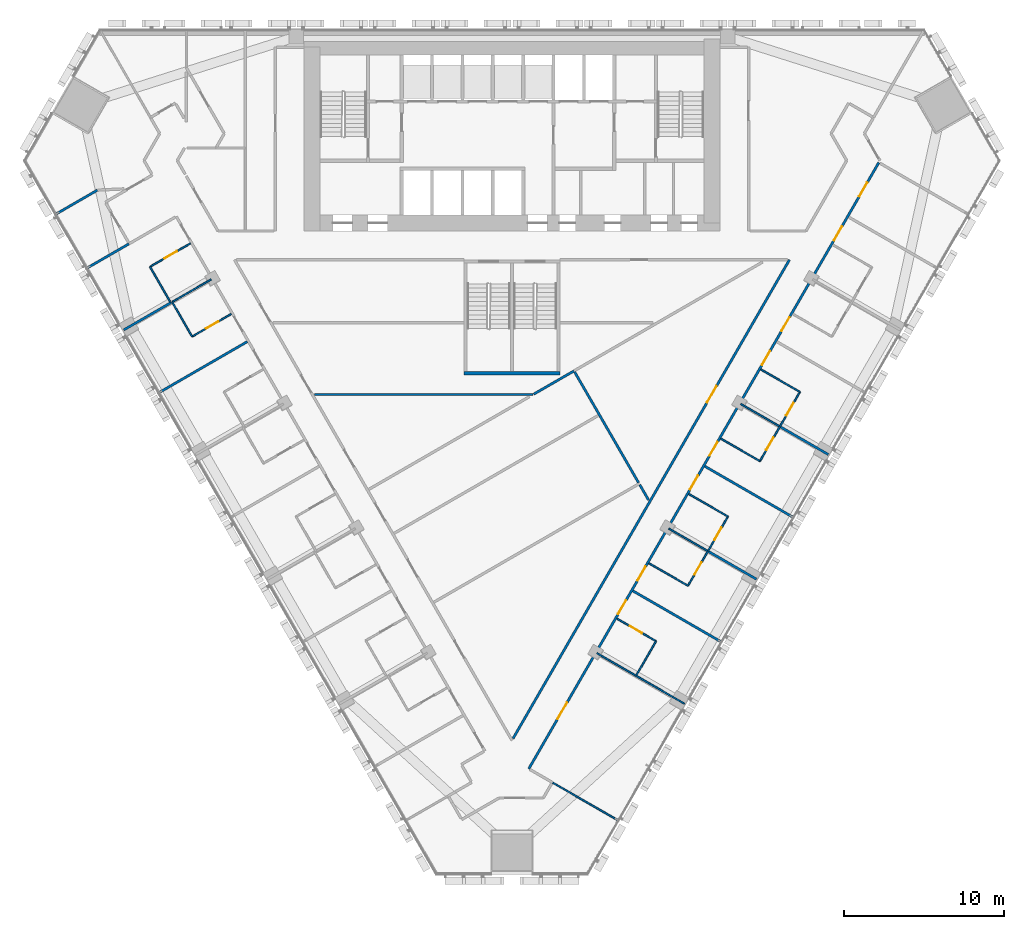
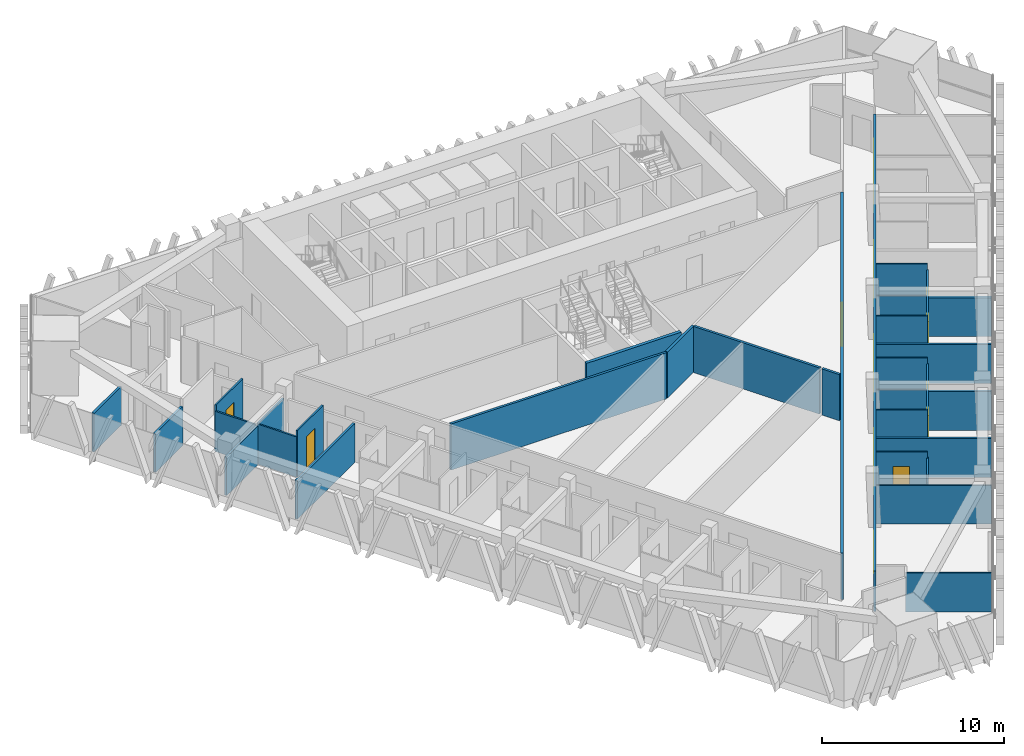
# One storey, part 10 of 17: 32 walls, 17 doors, 17 openings.
"""IFC4 building model written with IfcOpenShell, lengths in metres."""

from ifc_helpers import new_model, si_unit, direction, frame, frame_2d, origin, place, context, subcontext, project, spatial, rectangle, extrude, material, layer, layer_set, type_object, element, fill, save


model = new_model("IFC4")

# Units and contexts
model_context = context("Model", 3, precision=1e-05, world=origin(), true_north=direction((0.0, 1.0)))
body_context = subcontext(model_context, "Body", "Model", "MODEL_VIEW")
ifc_project = project(units=[si_unit("LENGTHUNIT", "METRE"), si_unit("AREAUNIT", "SQUARE_METRE"), si_unit("VOLUMEUNIT", "CUBIC_METRE"), si_unit("PLANEANGLEUNIT", "RADIAN"), si_unit("MASSUNIT", "GRAM", prefix="KILO")], contexts=[model_context])

# Site, building, storey
site_placement = place(None, origin())
site = spatial("IfcSite", under=ifc_project, at=site_placement, CompositionType="ELEMENT")
building_placement = place(site_placement, origin())
building = spatial("IfcBuilding", under=site, at=building_placement, Name="Altiplano Prism Tower", CompositionType="ELEMENT")
storey_placement = place(building_placement, frame((0.0, 0.0, 52.199951171875)))
storey = spatial("IfcBuildingStorey", under=building, at=storey_placement, Name="L12", CompositionType="ELEMENT", Elevation=52.199951171875)

# Wall
ifc_material_1 = material(Name="Plasterboard on steel stud", Category="steel")
ifc_layer_1 = layer(ifc_material_1, 0.10009765625)
ifc_layer_set_1 = layer_set([ifc_layer_1], Name="Plasterboard on steel stud")
wall_type_1 = type_object("IfcWallType", Name="Partition 100 unit", PredefinedType="PARTITIONING", material=ifc_layer_set_1)
wall_1_placement = place(storey_placement, frame((63.616943359375, 87.97607421875, 0.0), z_axis=(0.0, 0.0, 1.0), x_axis=(-0.499976333282, 0.866039067339, 0.0)))
element("IfcWall", 1, at=wall_1_placement, inside=storey, type_object=wall_type_1, Name="Partition P02 L12 056", PredefinedType="PARTITIONING", context=body_context, shape_type="SweptSolid", body=[
    extrude(rectangle(XDim=2.52490234375, YDim=0.10009765625, at=frame_2d((1.262451171875, 0.0))), origin(), (0.0, 0.0, 1.0), 2.699951171875),
])

# Wall, opening, door
wall_2_placement = place(storey_placement, frame((62.3544921875, 90.162841796875, 0.0), z_axis=(0.0, 0.0, 1.0), x_axis=(0.866046596414, 0.499963291492, 0.0)))
wall_2 = element("IfcWall", 2, at=wall_2_placement, inside=storey, type_object=wall_type_1, Name="Partition P02 L12 057", PredefinedType="PARTITIONING", context=body_context, shape_type="SweptSolid", body=[
    extrude(rectangle(XDim=2.925048828125, YDim=0.10009765625, at=frame_2d((1.46240234375, 0.0))), origin(), (0.0, 0.0, 1.0), 3.10009765625),
])
opening_1_placement = place(wall_2_placement, frame((1.050048828125, 0.0, 0.0)))
opening_1 = element("IfcOpeningElement", 3, at=opening_1_placement, cuts=wall_2, Name="Opening D0479", PredefinedType="OPENING", context=body_context, shape_type="SweptSolid", body=[
    extrude(rectangle(XDim=0.89990234375, YDim=2.10009765625, at=frame_2d((0.449951171875, 1.050048828125))), frame((0.0, 0.060546875, 0.0), z_axis=(0.0, -1.0, 0.0), x_axis=(1.0, 0.0, 0.0)), (0.0, 0.0, 1.0), 0.12109375),
])
ifc_material_2 = material(Name="Timber", Category="wood")
door_type_1 = type_object("IfcDoorType", Name="Ensuite door 900 x 2100", OperationType="NOTDEFINED", PredefinedType="NOTDEFINED", material=ifc_material_2)
door_1_placement = place(opening_1_placement, origin())
door_1 = element("IfcDoor", 4, at=door_1_placement, inside=storey, type_object=door_type_1, Name="Door D0479", OperationType="SINGLE_SWING_LEFT", OverallHeight=2.10009765625, OverallWidth=0.89990234375, PredefinedType="NOTDEFINED", context=body_context, shape_type="SweptSolid", body=[
    extrude(rectangle(XDim=0.89990234375, YDim=2.10009765625, at=frame_2d((0.449951171875, 1.050048828125))), frame((0.0, 0.02490234375, 0.0), z_axis=(0.0, -1.0, 0.0), x_axis=(1.0, 0.0, 0.0)), (0.0, 0.0, 1.0), 0.050048828125),
])
fill(opening_1, door_1)

wall_3_placement = place(storey_placement, frame((67.4375, 87.20849609375, 0.0), z_axis=(0.0, 0.0, 1.0), x_axis=(-0.866048868473, -0.499959355765, 0.0)))
wall_3 = element("IfcWall", 5, at=wall_3_placement, inside=storey, type_object=wall_type_1, Name="Partition P02 L12 060", PredefinedType="PARTITIONING", context=body_context, shape_type="SweptSolid", body=[
    extrude(rectangle(XDim=2.824951171875, YDim=0.10009765625, at=frame_2d((1.41259765625, 0.0))), origin(), (0.0, 0.0, 1.0), 3.10009765625),
])
opening_2_placement = place(wall_3_placement, frame((0.925048828125, 0.0, 0.0)))
opening_2 = element("IfcOpeningElement", 6, at=opening_2_placement, cuts=wall_3, Name="Opening D0481", PredefinedType="OPENING", context=body_context, shape_type="SweptSolid", body=[
    extrude(rectangle(XDim=0.89990234375, YDim=2.10009765625, at=frame_2d((0.449951171875, 1.050048828125))), frame((0.0, 0.060546875, 0.0), z_axis=(0.0, -1.0, 0.0), x_axis=(1.0, 0.0, 0.0)), (0.0, 0.0, 1.0), 0.12109375),
])
door_2_placement = place(opening_2_placement, origin())
door_2 = element("IfcDoor", 7, at=door_2_placement, inside=storey, type_object=door_type_1, Name="Door D0481", OperationType="SINGLE_SWING_LEFT", OverallHeight=2.10009765625, OverallWidth=0.89990234375, PredefinedType="NOTDEFINED", context=body_context, shape_type="SweptSolid", body=[
    extrude(rectangle(XDim=0.89990234375, YDim=2.10009765625, at=frame_2d((0.449951171875, 1.050048828125))), frame((0.0, 0.02490234375, 0.0), z_axis=(0.0, -1.0, 0.0), x_axis=(1.0, 0.0, 0.0)), (0.0, 0.0, 1.0), 0.050048828125),
])
fill(opening_2, door_2)

# Wall
wall_4_placement = place(storey_placement, frame((64.990966796875, 85.796142578125, 0.0), z_axis=(0.0, 0.0, 1.0), x_axis=(-0.500004234368, 0.866022959057, 0.0)))
element("IfcWall", 8, at=wall_4_placement, inside=storey, type_object=wall_type_1, Name="Partition P02 L12 061", PredefinedType="PARTITIONING", context=body_context, shape_type="SweptSolid", body=[
    extrude(rectangle(XDim=2.5, YDim=0.10009765625, at=frame_2d((1.25, 0.0))), origin(), (0.0, 0.0, 1.0), 2.699951171875),
])

# Wall, opening, door
wall_5_placement = place(storey_placement, frame((91.5625, 68.156005859375, 0.0), z_axis=(0.0, 0.0, 1.0), x_axis=(0.866048868473, -0.499959355765, 0.0)))
wall_5 = element("IfcWall", 9, at=wall_5_placement, inside=storey, type_object=wall_type_1, Name="Partition P02 L12 087", PredefinedType="PARTITIONING", context=body_context, shape_type="SweptSolid", body=[
    extrude(rectangle(XDim=2.824951171875, YDim=0.10009765625, at=frame_2d((1.41259765625, 0.0))), origin(), (0.0, 0.0, 1.0), 3.10009765625),
])
opening_3_placement = place(wall_5_placement, frame((0.925048828125, 0.0, 0.0)))
opening_3 = element("IfcOpeningElement", 10, at=opening_3_placement, cuts=wall_5, Name="Opening D0498", PredefinedType="OPENING", context=body_context, shape_type="SweptSolid", body=[
    extrude(rectangle(XDim=0.89990234375, YDim=2.10009765625, at=frame_2d((0.449951171875, 1.050048828125))), frame((0.0, 0.060546875, 0.0), z_axis=(0.0, -1.0, 0.0), x_axis=(1.0, 0.0, 0.0)), (0.0, 0.0, 1.0), 0.12109375),
])
door_3_placement = place(opening_3_placement, origin())
door_3 = element("IfcDoor", 11, at=door_3_placement, inside=storey, type_object=door_type_1, Name="Door D0498", OperationType="SINGLE_SWING_LEFT", OverallHeight=2.10009765625, OverallWidth=0.89990234375, PredefinedType="NOTDEFINED", context=body_context, shape_type="SweptSolid", body=[
    extrude(rectangle(XDim=0.89990234375, YDim=2.10009765625, at=frame_2d((0.449951171875, 1.050048828125))), frame((0.0, 0.02490234375, 0.0), z_axis=(0.0, -1.0, 0.0), x_axis=(1.0, 0.0, 0.0)), (0.0, 0.0, 1.0), 0.050048828125),
])
fill(opening_3, door_3)

# Walls
wall_6_placement = place(storey_placement, frame((94.009033203125, 66.74365234375, 0.0), z_axis=(0.0, 0.0, 1.0), x_axis=(-0.500018594424, -0.866014668023, 0.0)))
element("IfcWall", 12, at=wall_6_placement, inside=storey, type_object=wall_type_1, Name="Partition P02 L12 088", PredefinedType="PARTITIONING", context=body_context, shape_type="SweptSolid", body=[
    extrude(rectangle(XDim=2.4501953125, YDim=0.10009765625, at=frame_2d((1.22509765625, 0.0))), origin(), (0.0, 0.0, 1.0), 2.699951171875),
])
for number, where, z_axis, x_axis, name in (
    (13, (96.009033203125, 70.207763671875, 0.0), (0.0, 0.0, 1.0), (-0.866048868473, 0.499959355765, 0.0), "Partition P02 L12 090"),
    (14, (96.0625, 75.9501953125, 0.0), (0.0, 0.0, 1.0), (0.866048868473, -0.499959355765, 0.0), "Partition P02 L12 093"),
):
    element("IfcWall", number, at=place(storey_placement, frame(where, z_axis=z_axis, x_axis=x_axis)), inside=storey, type_object=wall_type_1, Name=name, PredefinedType="PARTITIONING", context=body_context, shape_type="SweptSolid", body=[
        extrude(rectangle(XDim=2.824951171875, YDim=0.10009765625, at=frame_2d((1.41259765625, 0.0))), origin(), (0.0, 0.0, 1.0), 3.10009765625),
    ])

# Wall, openings, doors
wall_7_placement = place(storey_placement, frame((98.509033203125, 74.537841796875, 0.0), z_axis=(0.0, 0.0, 1.0), x_axis=(-0.500004234368, -0.866022959057, 0.0)))
wall_7 = element("IfcWall", 15, at=wall_7_placement, inside=storey, type_object=wall_type_1, Name="Partition P02 L12 094", PredefinedType="PARTITIONING", context=body_context, shape_type="SweptSolid", body=[
    extrude(rectangle(XDim=5.0, YDim=0.10009765625, at=frame_2d((2.5, 0.0))), origin(), (0.0, 0.0, 1.0), 2.699951171875),
])
opening_4_placement = place(wall_7_placement, frame((3.300048828125, 0.0, 0.0)))
opening_4 = element("IfcOpeningElement", 16, at=opening_4_placement, cuts=wall_7, Name="Opening D0500", PredefinedType="OPENING", context=body_context, shape_type="SweptSolid", body=[
    extrude(rectangle(XDim=0.89990234375, YDim=2.10009765625, at=frame_2d((0.449951171875, 1.050048828125))), frame((0.0, 0.060546875, 0.0), z_axis=(0.0, -1.0, 0.0), x_axis=(1.0, 0.0, 0.0)), (0.0, 0.0, 1.0), 0.12109375),
])
opening_5_placement = place(wall_7_placement, frame((0.800048828125, 0.0, 0.0)))
opening_5 = element("IfcOpeningElement", 17, at=opening_5_placement, cuts=wall_7, Name="Opening D0502", PredefinedType="OPENING", context=body_context, shape_type="SweptSolid", body=[
    extrude(rectangle(XDim=0.89990234375, YDim=2.10009765625, at=frame_2d((0.449951171875, 1.050048828125))), frame((0.0, 0.060546875, 0.0), z_axis=(0.0, -1.0, 0.0), x_axis=(1.0, 0.0, 0.0)), (0.0, 0.0, 1.0), 0.12109375),
])
door_4_placement = place(opening_4_placement, origin())
door_4 = element("IfcDoor", 18, at=door_4_placement, inside=storey, type_object=door_type_1, Name="Door D0500", OperationType="SINGLE_SWING_RIGHT", OverallHeight=2.10009765625, OverallWidth=0.89990234375, PredefinedType="NOTDEFINED", context=body_context, shape_type="SweptSolid", body=[
    extrude(rectangle(XDim=0.89990234375, YDim=2.10009765625, at=frame_2d((0.449951171875, 1.050048828125))), frame((0.0, 0.02490234375, 0.0), z_axis=(0.0, -1.0, 0.0), x_axis=(1.0, 0.0, 0.0)), (0.0, 0.0, 1.0), 0.050048828125),
])
fill(opening_4, door_4)
door_5_placement = place(opening_5_placement, origin())
door_5 = element("IfcDoor", 19, at=door_5_placement, inside=storey, type_object=door_type_1, Name="Door D0502", OperationType="SINGLE_SWING_LEFT", OverallHeight=2.10009765625, OverallWidth=0.89990234375, PredefinedType="NOTDEFINED", context=body_context, shape_type="SweptSolid", body=[
    extrude(rectangle(XDim=0.89990234375, YDim=2.10009765625, at=frame_2d((0.449951171875, 1.050048828125))), frame((0.0, 0.02490234375, 0.0), z_axis=(0.0, -1.0, 0.0), x_axis=(1.0, 0.0, 0.0)), (0.0, 0.0, 1.0), 0.050048828125),
])
fill(opening_5, door_5)

# Walls
for number, where, z_axis, x_axis, name in (
    (20, (100.509033203125, 78.001953125, 0.0), (0.0, 0.0, 1.0), (-0.866048868473, 0.499959355765, 0.0), "Partition P02 L12 096"),
    (21, (100.5625, 83.744384765625, 0.0), (0.0, 0.0, 1.0), (0.866048868473, -0.499959355765, 0.0), "Partition P02 L12 099"),
):
    element("IfcWall", number, at=place(storey_placement, frame(where, z_axis=z_axis, x_axis=x_axis)), inside=storey, type_object=wall_type_1, Name=name, PredefinedType="PARTITIONING", context=body_context, shape_type="SweptSolid", body=[
        extrude(rectangle(XDim=2.824951171875, YDim=0.10009765625, at=frame_2d((1.41259765625, 0.0))), origin(), (0.0, 0.0, 1.0), 3.10009765625),
    ])

# Wall, openings, doors
wall_8_placement = place(storey_placement, frame((103.009033203125, 82.33203125, 0.0), z_axis=(0.0, 0.0, 1.0), x_axis=(-0.500004234368, -0.866022959057, 0.0)))
wall_8 = element("IfcWall", 22, at=wall_8_placement, inside=storey, type_object=wall_type_1, Name="Partition P02 L12 100", PredefinedType="PARTITIONING", context=body_context, shape_type="SweptSolid", body=[
    extrude(rectangle(XDim=5.0, YDim=0.10009765625, at=frame_2d((2.5, 0.0))), origin(), (0.0, 0.0, 1.0), 2.699951171875),
])
opening_6_placement = place(wall_8_placement, frame((3.300048828125, 0.0, 0.0)))
opening_6 = element("IfcOpeningElement", 23, at=opening_6_placement, cuts=wall_8, Name="Opening D0504", PredefinedType="OPENING", context=body_context, shape_type="SweptSolid", body=[
    extrude(rectangle(XDim=0.89990234375, YDim=2.10009765625, at=frame_2d((0.449951171875, 1.050048828125))), frame((0.0, 0.060546875, 0.0), z_axis=(0.0, -1.0, 0.0), x_axis=(1.0, 0.0, 0.0)), (0.0, 0.0, 1.0), 0.12109375),
])
opening_7_placement = place(wall_8_placement, frame((0.800048828125, 0.0, 0.0)))
opening_7 = element("IfcOpeningElement", 24, at=opening_7_placement, cuts=wall_8, Name="Opening D0506", PredefinedType="OPENING", context=body_context, shape_type="SweptSolid", body=[
    extrude(rectangle(XDim=0.89990234375, YDim=2.10009765625, at=frame_2d((0.449951171875, 1.050048828125))), frame((0.0, 0.060546875, 0.0), z_axis=(0.0, -1.0, 0.0), x_axis=(1.0, 0.0, 0.0)), (0.0, 0.0, 1.0), 0.12109375),
])
door_6_placement = place(opening_6_placement, origin())
door_6 = element("IfcDoor", 25, at=door_6_placement, inside=storey, type_object=door_type_1, Name="Door D0504", OperationType="SINGLE_SWING_RIGHT", OverallHeight=2.10009765625, OverallWidth=0.89990234375, PredefinedType="NOTDEFINED", context=body_context, shape_type="SweptSolid", body=[
    extrude(rectangle(XDim=0.89990234375, YDim=2.10009765625, at=frame_2d((0.449951171875, 1.050048828125))), frame((0.0, 0.02490234375, 0.0), z_axis=(0.0, -1.0, 0.0), x_axis=(1.0, 0.0, 0.0)), (0.0, 0.0, 1.0), 0.050048828125),
])
fill(opening_6, door_6)
door_7_placement = place(opening_7_placement, origin())
door_7 = element("IfcDoor", 26, at=door_7_placement, inside=storey, type_object=door_type_1, Name="Door D0506", OperationType="SINGLE_SWING_LEFT", OverallHeight=2.10009765625, OverallWidth=0.89990234375, PredefinedType="NOTDEFINED", context=body_context, shape_type="SweptSolid", body=[
    extrude(rectangle(XDim=0.89990234375, YDim=2.10009765625, at=frame_2d((0.449951171875, 1.050048828125))), frame((0.0, 0.02490234375, 0.0), z_axis=(0.0, -1.0, 0.0), x_axis=(1.0, 0.0, 0.0)), (0.0, 0.0, 1.0), 0.050048828125),
])
fill(opening_7, door_7)

# Walls
ifc_layer_2 = layer(ifc_material_1, 0.10009765625)
ifc_layer_set_2 = layer_set([ifc_layer_2], Name="Plasterboard on steel stud")
wall_type_2 = type_object("IfcWallType", Name="Partition 100 wet", PredefinedType="PARTITIONING", material=ifc_layer_set_2)
wall_9_placement = place(storey_placement, frame((63.740966796875, 87.961181640625, 0.0), z_axis=(0.0, 0.0, 1.0), x_axis=(0.866011447264, 0.500024172624, 0.0)))
element("IfcWall", 27, at=wall_9_placement, inside=storey, type_object=wall_type_2, Name="Partition P03 L12 059", PredefinedType="PARTITIONING", context=body_context, shape_type="SweptSolid", body=[
    extrude(rectangle(XDim=2.824951171875, YDim=0.10009765625, at=frame_2d((1.41259765625, 0.0))), origin(), (0.0, 0.0, 1.0), 2.699951171875),
])
wall_10_placement = place(storey_placement, frame((91.609619140625, 55.547119140625, 0.0), z_axis=(0.0, 0.0, 1.0), x_axis=(-0.866028632512, 0.499994407638, 0.0)))
element("IfcWall", 28, at=wall_10_placement, inside=storey, type_object=wall_type_2, Name="Partition P03 L12 085", PredefinedType="PARTITIONING", context=body_context, shape_type="SweptSolid", body=[
    extrude(rectangle(XDim=4.740234375, YDim=0.10009765625, at=frame_2d((2.3701171875, 0.0))), origin(), (0.0, 0.0, 1.0), 2.60009765625),
])
wall_11_placement = place(storey_placement, frame((95.7900390625, 62.828369140625, 0.0), z_axis=(0.0, 0.0, 1.0), x_axis=(-0.866015887322, 0.500016482634, 0.0)))
element("IfcWall", 29, at=wall_11_placement, inside=storey, type_object=wall_type_2, Name="Partition P03 L12 086", PredefinedType="PARTITIONING", context=body_context, shape_type="SweptSolid", body=[
    extrude(rectangle(XDim=6.324951171875, YDim=0.10009765625, at=frame_2d((3.16259765625, 0.0))), origin(), (0.0, 0.0, 1.0), 2.60009765625),
])
for number, where, z_axis, x_axis, name in (
    (30, (97.215576171875, 72.397705078125, 0.0), (0.0, 0.0, 1.0), (-0.866020020486, 0.50000932403, 0.0), "Partition P03 L12 092"),
    (31, (101.715576171875, 80.19189453125, 0.0), (0.0, 0.0, 1.0), (-0.866020020486, 0.50000932403, 0.0), "Partition P03 L12 098"),
):
    element("IfcWall", number, at=place(storey_placement, frame(where, z_axis=z_axis, x_axis=x_axis)), inside=storey, type_object=wall_type_2, Name=name, PredefinedType="PARTITIONING", context=body_context, shape_type="SweptSolid", body=[
        extrude(rectangle(XDim=2.77490234375, YDim=0.10009765625, at=frame_2d((1.387451171875, 0.0))), origin(), (0.0, 0.0, 1.0), 2.699951171875),
    ])

# Wall, openings, doors
ifc_layer_3 = layer(ifc_material_1, 0.14990234375)
ifc_layer_set_3 = layer_set([ifc_layer_3], Name="Plasterboard on steel stud")
wall_type_3 = type_object("IfcWallType", Name="Partition 150 corridor", PredefinedType="PARTITIONING", material=ifc_layer_set_3)
wall_12_placement = place(storey_placement, frame((86.049560546875, 58.75732421875, 0.0), z_axis=(0.0, 0.0, 1.0), x_axis=(0.499999296855, 0.866025809745, 0.0)))
wall_12 = element("IfcWall", 32, at=wall_12_placement, inside=storey, type_object=wall_type_3, Name="Partition P06 L12 033", PredefinedType="PARTITIONING", context=body_context, shape_type="SweptSolid", body=[
    extrude(rectangle(XDim=43.7919921875, YDim=0.14990234375, at=frame_2d((21.89599609375, 0.0))), origin(), (0.0, 0.0, 1.0), 2.699951171875),
])
opening_8_placement = place(wall_12_placement, frame((3.597900390625, 0.0, 0.0)))
opening_8 = element("IfcOpeningElement", 33, at=opening_8_placement, cuts=wall_12, Name="Opening D0496", PredefinedType="OPENING", context=body_context, shape_type="SweptSolid", body=[
    extrude(rectangle(XDim=1.199951171875, YDim=2.10009765625, at=frame_2d((0.60009765625, 1.050048828125))), frame((0.0, 0.08544921875, 0.0), z_axis=(0.0, -1.0, 0.0), x_axis=(1.0, 0.0, 0.0)), (0.0, 0.0, 1.0), 0.1708984375),
])
opening_9_placement = place(wall_12_placement, frame((11.176025390625, 0.0, 0.0)))
opening_9 = element("IfcOpeningElement", 34, at=opening_9_placement, cuts=wall_12, Name="Opening D0497", PredefinedType="OPENING", context=body_context, shape_type="SweptSolid", body=[
    extrude(rectangle(XDim=1.0, YDim=2.10009765625, at=frame_2d((0.5, 1.050048828125))), frame((0.0, 0.08544921875, 0.0), z_axis=(0.0, -1.0, 0.0), x_axis=(1.0, 0.0, 0.0)), (0.0, 0.0, 1.0), 0.1708984375),
])
opening_10_placement = place(wall_12_placement, frame((13.615966796875, 0.0, 0.0)))
opening_10 = element("IfcOpeningElement", 35, at=opening_10_placement, cuts=wall_12, Name="Opening D0499", PredefinedType="OPENING", context=body_context, shape_type="SweptSolid", body=[
    extrude(rectangle(XDim=1.0, YDim=2.10009765625, at=frame_2d((0.5, 1.050048828125))), frame((0.0, 0.08544921875, 0.0), z_axis=(0.0, -1.0, 0.0), x_axis=(1.0, 0.0, 0.0)), (0.0, 0.0, 1.0), 0.1708984375),
])
opening_11_placement = place(wall_12_placement, frame((20.176025390625, 0.0, 0.0)))
opening_11 = element("IfcOpeningElement", 36, at=opening_11_placement, cuts=wall_12, Name="Opening D0501", PredefinedType="OPENING", context=body_context, shape_type="SweptSolid", body=[
    extrude(rectangle(XDim=1.0, YDim=2.10009765625, at=frame_2d((0.5, 1.050048828125))), frame((0.0, 0.08544921875, 0.0), z_axis=(0.0, -1.0, 0.0), x_axis=(1.0, 0.0, 0.0)), (0.0, 0.0, 1.0), 0.1708984375),
])
opening_12_placement = place(wall_12_placement, frame((22.615966796875, 0.0, 0.0)))
opening_12 = element("IfcOpeningElement", 37, at=opening_12_placement, cuts=wall_12, Name="Opening D0503", PredefinedType="OPENING", context=body_context, shape_type="SweptSolid", body=[
    extrude(rectangle(XDim=1.0, YDim=2.10009765625, at=frame_2d((0.5, 1.050048828125))), frame((0.0, 0.08544921875, 0.0), z_axis=(0.0, -1.0, 0.0), x_axis=(1.0, 0.0, 0.0)), (0.0, 0.0, 1.0), 0.1708984375),
])
opening_13_placement = place(wall_12_placement, frame((29.176025390625, 0.0, 0.0)))
opening_13 = element("IfcOpeningElement", 38, at=opening_13_placement, cuts=wall_12, Name="Opening D0505", PredefinedType="OPENING", context=body_context, shape_type="SweptSolid", body=[
    extrude(rectangle(XDim=1.0, YDim=2.10009765625, at=frame_2d((0.5, 1.050048828125))), frame((0.0, 0.08544921875, 0.0), z_axis=(0.0, -1.0, 0.0), x_axis=(1.0, 0.0, 0.0)), (0.0, 0.0, 1.0), 0.1708984375),
])
opening_14_placement = place(wall_12_placement, frame((31.615966796875, 0.0, 0.0)))
opening_14 = element("IfcOpeningElement", 39, at=opening_14_placement, cuts=wall_12, Name="Opening D0507", PredefinedType="OPENING", context=body_context, shape_type="SweptSolid", body=[
    extrude(rectangle(XDim=1.0, YDim=2.10009765625, at=frame_2d((0.5, 1.050048828125))), frame((0.0, 0.08544921875, 0.0), z_axis=(0.0, -1.0, 0.0), x_axis=(1.0, 0.0, 0.0)), (0.0, 0.0, 1.0), 0.1708984375),
])
opening_15_placement = place(wall_12_placement, frame((38.176025390625, 0.0, 0.0)))
opening_15 = element("IfcOpeningElement", 40, at=opening_15_placement, cuts=wall_12, Name="Opening D0509", PredefinedType="OPENING", context=body_context, shape_type="SweptSolid", body=[
    extrude(rectangle(XDim=1.0, YDim=2.10009765625, at=frame_2d((0.5, 1.050048828125))), frame((0.0, 0.08544921875, 0.0), z_axis=(0.0, -1.0, 0.0), x_axis=(1.0, 0.0, 0.0)), (0.0, 0.0, 1.0), 0.1708984375),
])
opening_16_placement = place(wall_12_placement, frame((41.343994140625, 0.0, 0.0)))
opening_16 = element("IfcOpeningElement", 41, at=opening_16_placement, cuts=wall_12, Name="Opening D0511", PredefinedType="OPENING", context=body_context, shape_type="SweptSolid", body=[
    extrude(rectangle(XDim=1.0, YDim=2.10009765625, at=frame_2d((0.5, 1.050048828125))), frame((0.0, 0.08544921875, 0.0), z_axis=(0.0, -1.0, 0.0), x_axis=(1.0, 0.0, 0.0)), (0.0, 0.0, 1.0), 0.1708984375),
])
door_type_2 = type_object("IfcDoorType", Name="Bedroom entrance door 1000 x 2100", OperationType="NOTDEFINED", PredefinedType="NOTDEFINED", material=ifc_material_2)
door_8_placement = place(opening_9_placement, origin())
door_8 = element("IfcDoor", 42, at=door_8_placement, inside=storey, type_object=door_type_2, Name="Door D0497", OperationType="SINGLE_SWING_LEFT", OverallHeight=2.10009765625, OverallWidth=1.0, PredefinedType="NOTDEFINED", context=body_context, shape_type="SweptSolid", body=[
    extrude(rectangle(XDim=1.0, YDim=2.10009765625, at=frame_2d((0.5, 1.050048828125))), frame((0.0, 0.02490234375, 0.0), z_axis=(0.0, -1.0, 0.0), x_axis=(1.0, 0.0, 0.0)), (0.0, 0.0, 1.0), 0.050048828125),
])
fill(opening_9, door_8)
door_9_placement = place(opening_10_placement, origin())
door_9 = element("IfcDoor", 43, at=door_9_placement, inside=storey, type_object=door_type_2, Name="Door D0499", OperationType="SINGLE_SWING_LEFT", OverallHeight=2.10009765625, OverallWidth=1.0, PredefinedType="NOTDEFINED", context=body_context, shape_type="SweptSolid", body=[
    extrude(rectangle(XDim=1.0, YDim=2.10009765625, at=frame_2d((0.5, 1.050048828125))), frame((0.0, 0.02490234375, 0.0), z_axis=(0.0, -1.0, 0.0), x_axis=(1.0, 0.0, 0.0)), (0.0, 0.0, 1.0), 0.050048828125),
])
fill(opening_10, door_9)
door_10_placement = place(opening_11_placement, origin())
door_10 = element("IfcDoor", 44, at=door_10_placement, inside=storey, type_object=door_type_2, Name="Door D0501", OperationType="SINGLE_SWING_LEFT", OverallHeight=2.10009765625, OverallWidth=1.0, PredefinedType="NOTDEFINED", context=body_context, shape_type="SweptSolid", body=[
    extrude(rectangle(XDim=1.0, YDim=2.10009765625, at=frame_2d((0.5, 1.050048828125))), frame((0.0, 0.02490234375, 0.0), z_axis=(0.0, -1.0, 0.0), x_axis=(1.0, 0.0, 0.0)), (0.0, 0.0, 1.0), 0.050048828125),
])
fill(opening_11, door_10)
door_11_placement = place(opening_12_placement, origin())
door_11 = element("IfcDoor", 45, at=door_11_placement, inside=storey, type_object=door_type_2, Name="Door D0503", OperationType="SINGLE_SWING_RIGHT", OverallHeight=2.10009765625, OverallWidth=1.0, PredefinedType="NOTDEFINED", context=body_context, shape_type="SweptSolid", body=[
    extrude(rectangle(XDim=1.0, YDim=2.10009765625, at=frame_2d((0.5, 1.050048828125))), frame((0.0, 0.02490234375, 0.0), z_axis=(0.0, -1.0, 0.0), x_axis=(1.0, 0.0, 0.0)), (0.0, 0.0, 1.0), 0.050048828125),
])
fill(opening_12, door_11)
door_12_placement = place(opening_13_placement, origin())
door_12 = element("IfcDoor", 46, at=door_12_placement, inside=storey, type_object=door_type_2, Name="Door D0505", OperationType="SINGLE_SWING_LEFT", OverallHeight=2.10009765625, OverallWidth=1.0, PredefinedType="NOTDEFINED", context=body_context, shape_type="SweptSolid", body=[
    extrude(rectangle(XDim=1.0, YDim=2.10009765625, at=frame_2d((0.5, 1.050048828125))), frame((0.0, 0.02490234375, 0.0), z_axis=(0.0, -1.0, 0.0), x_axis=(1.0, 0.0, 0.0)), (0.0, 0.0, 1.0), 0.050048828125),
])
fill(opening_13, door_12)
door_13_placement = place(opening_14_placement, origin())
door_13 = element("IfcDoor", 47, at=door_13_placement, inside=storey, type_object=door_type_2, Name="Door D0507", OperationType="SINGLE_SWING_LEFT", OverallHeight=2.10009765625, OverallWidth=1.0, PredefinedType="NOTDEFINED", context=body_context, shape_type="SweptSolid", body=[
    extrude(rectangle(XDim=1.0, YDim=2.10009765625, at=frame_2d((0.5, 1.050048828125))), frame((0.0, 0.02490234375, 0.0), z_axis=(0.0, -1.0, 0.0), x_axis=(1.0, 0.0, 0.0)), (0.0, 0.0, 1.0), 0.050048828125),
])
fill(opening_14, door_13)
door_14_placement = place(opening_15_placement, origin())
door_14 = element("IfcDoor", 48, at=door_14_placement, inside=storey, type_object=door_type_2, Name="Door D0509", OperationType="SINGLE_SWING_RIGHT", OverallHeight=2.10009765625, OverallWidth=1.0, PredefinedType="NOTDEFINED", context=body_context, shape_type="SweptSolid", body=[
    extrude(rectangle(XDim=1.0, YDim=2.10009765625, at=frame_2d((0.5, 1.050048828125))), frame((0.0, 0.02490234375, 0.0), z_axis=(0.0, -1.0, 0.0), x_axis=(1.0, 0.0, 0.0)), (0.0, 0.0, 1.0), 0.050048828125),
])
fill(opening_15, door_14)
door_type_3 = type_object("IfcDoorType", Name="Room door 1000 x 2100", OperationType="NOTDEFINED", PredefinedType="NOTDEFINED", material=ifc_material_2)
door_15_placement = place(opening_16_placement, origin())
door_15 = element("IfcDoor", 49, at=door_15_placement, inside=storey, type_object=door_type_3, Name="Door D0511", OperationType="SINGLE_SWING_LEFT", OverallHeight=2.10009765625, OverallWidth=1.0, PredefinedType="NOTDEFINED", context=body_context, shape_type="SweptSolid", body=[
    extrude(rectangle(XDim=1.0, YDim=2.10009765625, at=frame_2d((0.5, 1.050048828125))), frame((0.0, 0.02490234375, 0.0), z_axis=(0.0, -1.0, 0.0), x_axis=(1.0, 0.0, 0.0)), (0.0, 0.0, 1.0), 0.050048828125),
])
fill(opening_16, door_15)
door_type_4 = type_object("IfcDoorType", Name="Shared room door 1200 x 2100", OperationType="NOTDEFINED", PredefinedType="NOTDEFINED", material=ifc_material_2)
door_16_placement = place(opening_8_placement, origin())
door_16 = element("IfcDoor", 50, at=door_16_placement, inside=storey, type_object=door_type_4, Name="Door D0496", OperationType="SINGLE_SWING_LEFT", OverallHeight=2.10009765625, OverallWidth=1.199951171875, PredefinedType="NOTDEFINED", context=body_context, shape_type="SweptSolid", body=[
    extrude(rectangle(XDim=1.199951171875, YDim=2.10009765625, at=frame_2d((0.60009765625, 1.050048828125))), frame((0.0, 0.02490234375, 0.0), z_axis=(0.0, -1.0, 0.0), x_axis=(1.0, 0.0, 0.0)), (0.0, 0.0, 1.0), 0.050048828125),
])
fill(opening_8, door_16)

# Wall, opening, door
wall_13_placement = place(storey_placement, frame((102.35546875, 90.60009765625, 0.0), z_axis=(0.0, 0.0, 1.0), x_axis=(-0.500000924128, -0.866024870238, 0.0)))
wall_13 = element("IfcWall", 51, at=wall_13_placement, inside=storey, type_object=wall_type_3, Name="Partition P06 L12 044", PredefinedType="PARTITIONING", context=body_context, shape_type="SweptSolid", body=[
    extrude(rectangle(XDim=34.5810546875, YDim=0.14990234375, at=frame_2d((17.29052734375, 0.0))), origin(), (0.0, 0.0, 1.0), 3.10009765625),
])
opening_17_placement = place(wall_13_placement, frame((9.117919921875, 0.0, 0.0)))
opening_17 = element("IfcOpeningElement", 52, at=opening_17_placement, cuts=wall_13, Name="Opening D0515", PredefinedType="OPENING", context=body_context, shape_type="SweptSolid", body=[
    extrude(rectangle(XDim=1.199951171875, YDim=2.10009765625, at=frame_2d((0.60009765625, 1.050048828125))), frame((0.0, 0.08544921875, 0.0), z_axis=(0.0, -1.0, 0.0), x_axis=(1.0, 0.0, 0.0)), (0.0, 0.0, 1.0), 0.1708984375),
])
door_17_placement = place(opening_17_placement, origin())
door_17 = element("IfcDoor", 53, at=door_17_placement, inside=storey, type_object=door_type_4, Name="Door D0515", OperationType="SINGLE_SWING_LEFT", OverallHeight=2.10009765625, OverallWidth=1.199951171875, PredefinedType="NOTDEFINED", context=body_context, shape_type="SweptSolid", body=[
    extrude(rectangle(XDim=1.199951171875, YDim=2.10009765625, at=frame_2d((0.60009765625, 1.050048828125))), frame((0.0, 0.02490234375, 0.0), z_axis=(0.0, -1.0, 0.0), x_axis=(1.0, 0.0, 0.0)), (0.0, 0.0, 1.0), 0.050048828125),
])
fill(opening_17, door_17)

# Walls
ifc_layer_4 = layer(ifc_material_1, 0.14990234375)
ifc_layer_set_4 = layer_set([ifc_layer_4], Name="Plasterboard on steel stud")
wall_type_4 = type_object("IfcWallType", Name="Partition 150 party", PredefinedType="PARTITIONING", material=ifc_layer_set_4)
wall_14_placement = place(storey_placement, frame((56.494384765625, 93.47216796875, 0.0), z_axis=(0.0, 0.0, 1.0), x_axis=(0.866024066802, 0.500002315714, 0.0)))
element("IfcWall", 54, at=wall_14_placement, inside=storey, type_object=wall_type_4, Name="Partition P01 L12 052", PredefinedType="PARTITIONING", context=body_context, shape_type="SweptSolid", body=[
    extrude(rectangle(XDim=2.97021484375, YDim=0.14990234375, at=frame_2d((1.485107421875, 0.0))), origin(), (0.0, 0.0, 1.0), 2.60009765625),
])
wall_15_placement = place(storey_placement, frame((58.4423828125, 90.09814453125, 0.0), z_axis=(0.0, 0.0, 1.0), x_axis=(0.866016204555, 0.500015933195, 0.0)))
element("IfcWall", 55, at=wall_15_placement, inside=storey, type_object=wall_type_4, Name="Partition P01 L12 055", PredefinedType="PARTITIONING", context=body_context, shape_type="SweptSolid", body=[
    extrude(rectangle(XDim=3.00048828125, YDim=0.14990234375, at=frame_2d((1.500244140625, 0.0))), origin(), (0.0, 0.0, 1.0), 2.60009765625),
])
wall_16_placement = place(storey_placement, frame((60.7099609375, 86.211181640625, 0.0), z_axis=(0.0, 0.0, 1.0), x_axis=(0.866038183914, 0.499977863513, 0.0)))
element("IfcWall", 56, at=wall_16_placement, inside=storey, type_object=wall_type_4, Name="Partition P01 L12 058", PredefinedType="PARTITIONING", context=body_context, shape_type="SweptSolid", body=[
    extrude(rectangle(XDim=3.420166015625, YDim=0.14990234375, at=frame_2d((1.7099609375, 0.0))), origin(), (0.0, 0.0, 1.0), 2.60009765625),
])
for number, where, z_axis, x_axis, name in (
    (57, (62.9423828125, 82.303955078125, 0.0), (0.0, 0.0, 1.0), (0.866025401434, 0.500000004071, 0.0), "Partition P01 L12 062"),
    (58, (98.0576171875, 66.715576171875, 0.0), (0.0, 0.0, 1.0), (-0.866025401434, 0.500000004071, 0.0), "Partition P01 L12 089"),
):
    element("IfcWall", number, at=place(storey_placement, frame(where, z_axis=z_axis, x_axis=x_axis)), inside=storey, type_object=wall_type_4, Name=name, PredefinedType="PARTITIONING", context=body_context, shape_type="SweptSolid", body=[
        extrude(rectangle(XDim=6.34521484375, YDim=0.14990234375, at=frame_2d((3.172607421875, 0.0))), origin(), (0.0, 0.0, 1.0), 2.60009765625),
    ])
wall_17_placement = place(storey_placement, frame((100.2900390625, 70.622802734375, 0.0), z_axis=(0.0, 0.0, 1.0), x_axis=(-0.866044174857, 0.499967486139, 0.0)))
element("IfcWall", 59, at=wall_17_placement, inside=storey, type_object=wall_type_4, Name="Partition P01 L12 091", PredefinedType="PARTITIONING", context=body_context, shape_type="SweptSolid", body=[
    extrude(rectangle(XDim=3.449951171875, YDim=0.14990234375, at=frame_2d((1.72509765625, 0.0))), origin(), (0.0, 0.0, 1.0), 2.60009765625),
])
wall_18_placement = place(storey_placement, frame((102.5576171875, 74.509765625, 0.0), z_axis=(0.0, 0.0, 1.0), x_axis=(-0.866025401434, 0.500000004071, 0.0)))
element("IfcWall", 60, at=wall_18_placement, inside=storey, type_object=wall_type_4, Name="Partition P01 L12 095", PredefinedType="PARTITIONING", context=body_context, shape_type="SweptSolid", body=[
    extrude(rectangle(XDim=6.34521484375, YDim=0.14990234375, at=frame_2d((3.172607421875, 0.0))), origin(), (0.0, 0.0, 1.0), 2.60009765625),
])
wall_19_placement = place(storey_placement, frame((104.7900390625, 78.4169921875, 0.0), z_axis=(0.0, 0.0, 1.0), x_axis=(-0.866044174857, 0.499967486139, 0.0)))
element("IfcWall", 61, at=wall_19_placement, inside=storey, type_object=wall_type_4, Name="Partition P01 L12 097", PredefinedType="PARTITIONING", context=body_context, shape_type="SweptSolid", body=[
    extrude(rectangle(XDim=3.449951171875, YDim=0.14990234375, at=frame_2d((1.72509765625, 0.0))), origin(), (0.0, 0.0, 1.0), 2.60009765625),
])
wall_20_placement = place(storey_placement, frame((93.546142578125, 75.56689453125, 0.0), z_axis=(0.0, 0.0, 1.0), x_axis=(-0.500090643993, 0.865973064125, 0.0)))
element("IfcWall", 62, at=wall_20_placement, inside=storey, type_object=wall_type_4, Name="Partition P01 L12 110", PredefinedType="PARTITIONING", context=body_context, shape_type="SweptSolid", body=[
    extrude(rectangle(XDim=1.109619140625, YDim=0.14990234375, at=frame_2d((0.5546875, 0.0))), origin(), (0.0, 0.0, 1.0), 3.10009765625),
])
wall_21_placement = place(storey_placement, frame((88.917236328125, 83.58447265625, 0.0), z_axis=(0.0, 0.0, 1.0), x_axis=(0.499986679841, -0.866033094045, 0.0)))
element("IfcWall", 63, at=wall_21_placement, inside=storey, type_object=wall_type_4, Name="Partition P01 L12 112", PredefinedType="PARTITIONING", context=body_context, shape_type="SweptSolid", body=[
    extrude(rectangle(XDim=7.998291015625, YDim=0.14990234375, at=frame_2d((3.9990234375, 0.0))), origin(), (0.0, 0.0, 1.0), 3.10009765625),
])
wall_22_placement = place(storey_placement, frame((86.3583984375, 82.19384765625, 0.0), z_axis=(0.0, 0.0, 1.0), x_axis=(0.86603616059, 0.499981368203, 0.0)))
element("IfcWall", 64, at=wall_22_placement, inside=storey, type_object=wall_type_4, Name="Partition P01 L12 116", PredefinedType="PARTITIONING", context=body_context, shape_type="SweptSolid", body=[
    extrude(rectangle(XDim=2.9111328125, YDim=0.14990234375, at=frame_2d((1.45556640625, 0.0))), origin(), (0.0, 0.0, 1.0), 3.10009765625),
])
wall_23_placement = place(storey_placement, frame((72.638671875, 82.175048828125, 0.0), z_axis=(0.0, 0.0, 1.0), x_axis=(1.0, 0.0, 0.0)))
element("IfcWall", 65, at=wall_23_placement, inside=storey, type_object=wall_type_4, Name="Partition P01 L12 117", PredefinedType="PARTITIONING", context=body_context, shape_type="SweptSolid", body=[
    extrude(rectangle(XDim=13.687255859375, YDim=0.14990234375, at=frame_2d((6.84375, 0.0))), origin(), (0.0, 0.0, 1.0), 3.10009765625),
])
ifc_material_3 = material(Name="Concrete C60/75", Category="concrete")
ifc_layer_5 = layer(ifc_material_3, 0.199951171875)
ifc_layer_set_5 = layer_set([ifc_layer_5], Name="Concrete C60/75")
wall_type_5 = type_object("IfcWallType", Name="Stair wall 200", PredefinedType="SOLIDWALL", material=ifc_layer_set_5)
wall_24_placement = place(storey_placement, frame((82.0, 83.5, 0.0), z_axis=(0.0, 0.0, 1.0), x_axis=(1.0, 0.0, 0.0)))
element("IfcWall", 66, at=wall_24_placement, inside=storey, type_object=wall_type_5, Name="Stair 3 wall south L12", PredefinedType="SOLIDWALL", context=body_context, shape_type="SweptSolid", body=[
    extrude(rectangle(XDim=6.0, YDim=0.199951171875, at=frame_2d((3.0, 0.0))), origin(), (0.0, 0.0, 1.0), 3.10009765625),
])

save(model, "model.ifc")
